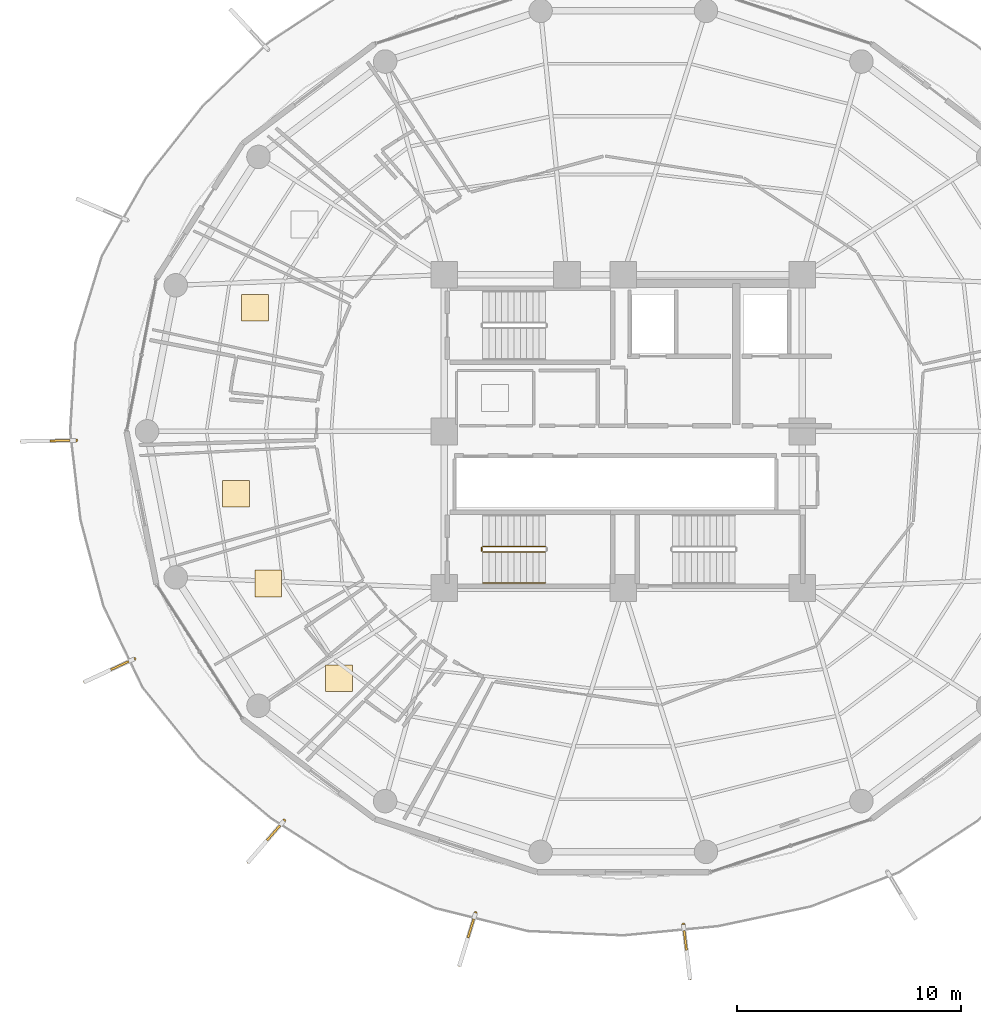
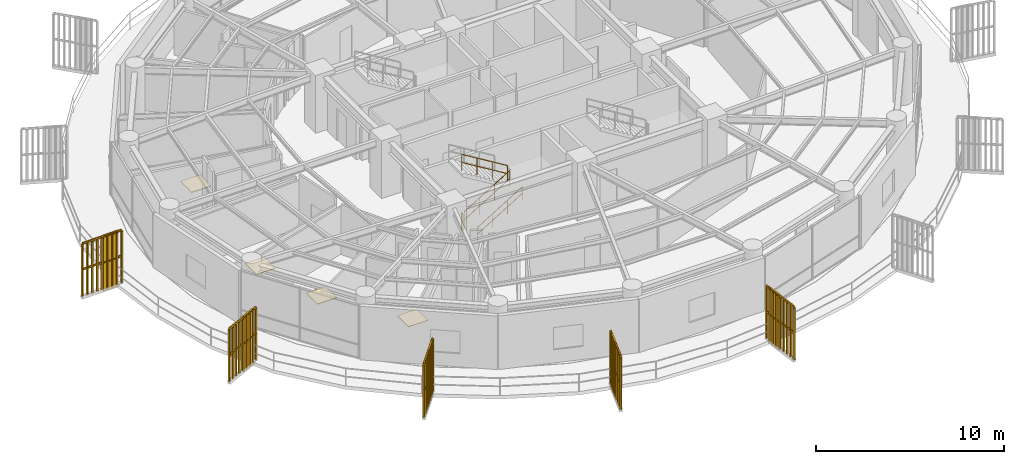
# One storey, part 28 of 31: 9 railings, 5 shading devices, 4 coverings.
"""IFC4 building model written with IfcOpenShell, lengths in metres."""

from ifc_helpers import new_model, si_unit, direction, frame, origin, origin_2d, place, context, subcontext, project, spatial, polyline, rectangle, outline, extrude, source, transform, mapped, material, layer, layer_set, type_object, element, save


model = new_model("IFC4")

# Units and contexts
model_context = context("Model", 3, precision=1e-05, world=origin(), true_north=direction((0.0, 1.0)))
body_context = subcontext(model_context, "Body", "Model", "MODEL_VIEW")
ifc_project = project(units=[si_unit("LENGTHUNIT", "METRE"), si_unit("AREAUNIT", "SQUARE_METRE"), si_unit("VOLUMEUNIT", "CUBIC_METRE"), si_unit("PLANEANGLEUNIT", "RADIAN"), si_unit("MASSUNIT", "GRAM", prefix="KILO")], contexts=[model_context])

# Site, building, storey
site_placement = place(None, origin())
site = spatial("IfcSite", under=ifc_project, at=site_placement, CompositionType="ELEMENT")
building_placement = place(site_placement, origin())
building = spatial("IfcBuilding", under=site, at=building_placement, Name="Kelanora Arch Commons", CompositionType="ELEMENT")
storey_placement = place(building_placement, frame((0.0, 0.0, 200.699951171875)))
storey = spatial("IfcBuildingStorey", under=building, at=storey_placement, Name="L51", CompositionType="ELEMENT", Elevation=200.699951171875)

# Railings
ifc_material_1 = material(Name="Anodised bronze vertical shading fin rib assembly")
railing_type_1 = type_object("IfcRailingType", Name="RAIL-FIN-BRZ", PredefinedType="BALUSTRADE", material=ifc_material_1)
railing_1_placement = place(storey_placement, frame((49.5517578125, 57.595458984375, -0.02001953125)))
element("IfcRailing", 1, at=railing_1_placement, inside=storey, type_object=railing_type_1, Name="Sweeping Bronze Vertical Fin Blade L51-09", PredefinedType="BALUSTRADE", context=body_context, shape_type="SweptSolid", body=[
    extrude(outline(polyline([(0.06982421875, 0.0), (0.034912109375, 0.060546875), (-0.034912109375, 0.060546875), (-0.06982421875, 0.0), (-0.034912109375, -0.060546875), (0.034912109375, -0.060546875), (0.06982421875, 0.0)])), frame((0.0, 0.0, 3.419921875), z_axis=(-0.999864110803, -0.016485142673, 0.0), x_axis=(0.016485142673, -0.999864110803, 0.0)), (0.0, 0.0, 1.0), 2.4287109375),
    extrude(outline(polyline([(0.06982421875, 0.0), (0.034912109375, 0.060546875), (-0.034912109375, 0.060546875), (-0.06982421875, 0.0), (-0.034912109375, -0.060546875), (0.034912109375, -0.060546875), (0.06982421875, 0.0)])), frame((0.0, 0.0, 1.7451171875), z_axis=(-0.999864110803, -0.016485142673, 0.0), x_axis=(0.016485142673, -0.999864110803, 0.0)), (0.0, 0.0, 1.0), 2.4287109375),
    extrude(outline(polyline([(0.080078125, 0.0), (0.0400390625, 0.0693359375), (-0.0400390625, 0.0693359375), (-0.080078125, 0.0), (-0.0400390625, -0.0693359375), (0.0400390625, -0.0693359375), (0.080078125, 0.0)])), origin(), (0.0, 0.0, 1.0), 3.35009765625),
    extrude(outline(polyline([(0.080078125, 0.0), (0.0400390625, 0.0693359375), (-0.0400390625, 0.0693359375), (-0.080078125, 0.0), (-0.0400390625, -0.0693359375), (0.0400390625, -0.0693359375), (0.080078125, 0.0)])), frame((-0.303466796875, -0.0048828125, 0.0)), (0.0, 0.0, 1.0), 3.35009765625),
    extrude(outline(polyline([(0.080078125, 0.0), (0.0400390625, 0.0693359375), (-0.0400390625, 0.0693359375), (-0.080078125, 0.0), (-0.0400390625, -0.0693359375), (0.0400390625, -0.0693359375), (0.080078125, 0.0)])), frame((-0.607177734375, -0.010009765625, 0.0)), (0.0, 0.0, 1.0), 3.35009765625),
    extrude(outline(polyline([(0.080078125, 0.0), (0.0400390625, 0.0693359375), (-0.0400390625, 0.0693359375), (-0.080078125, 0.0), (-0.0400390625, -0.0693359375), (0.0400390625, -0.0693359375), (0.080078125, 0.0)])), frame((-0.91064453125, -0.01513671875, 0.0)), (0.0, 0.0, 1.0), 3.35009765625),
    extrude(outline(polyline([(0.080078125, 0.0), (0.0400390625, 0.0693359375), (-0.0400390625, 0.0693359375), (-0.080078125, 0.0), (-0.0400390625, -0.0693359375), (0.0400390625, -0.0693359375), (0.080078125, 0.0)])), frame((-1.21435546875, -0.02001953125, 0.0)), (0.0, 0.0, 1.0), 3.35009765625),
    extrude(outline(polyline([(0.080078125, 0.0), (0.0400390625, 0.0693359375), (-0.0400390625, 0.0693359375), (-0.080078125, 0.0), (-0.0400390625, -0.0693359375), (0.0400390625, -0.0693359375), (0.080078125, 0.0)])), frame((-1.517822265625, -0.02490234375, 0.0)), (0.0, 0.0, 1.0), 3.35009765625),
    extrude(outline(polyline([(0.080078125, 0.0), (0.0400390625, 0.0693359375), (-0.0400390625, 0.0693359375), (-0.080078125, 0.0), (-0.0400390625, -0.0693359375), (0.0400390625, -0.0693359375), (0.080078125, 0.0)])), frame((-1.8212890625, -0.030029296875, 0.0)), (0.0, 0.0, 1.0), 3.35009765625),
    extrude(outline(polyline([(0.080078125, 0.0), (0.0400390625, 0.0693359375), (-0.0400390625, 0.0693359375), (-0.080078125, 0.0), (-0.0400390625, -0.0693359375), (0.0400390625, -0.0693359375), (0.080078125, 0.0)])), frame((-2.125, -0.03515625, 0.0)), (0.0, 0.0, 1.0), 3.35009765625),
    extrude(outline(polyline([(0.080078125, 0.0), (0.0400390625, 0.0693359375), (-0.0400390625, 0.0693359375), (-0.080078125, 0.0), (-0.0400390625, -0.0693359375), (0.0400390625, -0.0693359375), (0.080078125, 0.0)])), frame((-2.428466796875, -0.0400390625, 0.0)), (0.0, 0.0, 1.0), 3.35009765625),
])
railing_2_placement = place(storey_placement, frame((52.15087890625, 47.835693359375, -0.02001953125)))
element("IfcRailing", 2, at=railing_2_placement, inside=storey, type_object=railing_type_1, Name="Sweeping Bronze Vertical Fin Blade L51-10", PredefinedType="BALUSTRADE", context=body_context, shape_type="SweptSolid", body=[
    extrude(outline(polyline([(0.06982421875, 0.0), (0.034912109375, 0.060546875), (-0.034912109375, 0.060546875), (-0.06982421875, 0.0), (-0.034912109375, -0.060546875), (0.034912109375, -0.060546875), (0.06982421875, 0.0)])), frame((0.0, 0.0, 3.419921875), z_axis=(-0.906696080699, -0.421784562596, 0.0), x_axis=(0.421784562596, -0.906696080699, 0.0)), (0.0, 0.0, 1.0), 2.4287109375),
    extrude(outline(polyline([(0.06982421875, 0.0), (0.034912109375, 0.060546875), (-0.034912109375, 0.060546875), (-0.06982421875, 0.0), (-0.034912109375, -0.060546875), (0.034912109375, -0.060546875), (0.06982421875, 0.0)])), frame((0.0, 0.0, 1.7451171875), z_axis=(-0.906696080699, -0.421784562596, 0.0), x_axis=(0.421784562596, -0.906696080699, 0.0)), (0.0, 0.0, 1.0), 2.4287109375),
    extrude(outline(polyline([(0.080078125, 0.0), (0.0400390625, 0.0693359375), (-0.0400390625, 0.0693359375), (-0.080078125, 0.0), (-0.0400390625, -0.0693359375), (0.0400390625, -0.0693359375), (0.080078125, 0.0)])), origin(), (0.0, 0.0, 1.0), 3.35009765625),
    extrude(outline(polyline([(0.080078125, 0.0), (0.0400390625, 0.0693359375), (-0.0400390625, 0.0693359375), (-0.080078125, 0.0), (-0.0400390625, -0.0693359375), (0.0400390625, -0.0693359375), (0.080078125, 0.0)])), frame((-0.275390625, -0.1279296875, 0.0)), (0.0, 0.0, 1.0), 3.35009765625),
    extrude(outline(polyline([(0.080078125, 0.0), (0.0400390625, 0.0693359375), (-0.0400390625, 0.0693359375), (-0.080078125, 0.0), (-0.0400390625, -0.0693359375), (0.0400390625, -0.0693359375), (0.080078125, 0.0)])), frame((-0.550537109375, -0.256103515625, 0.0)), (0.0, 0.0, 1.0), 3.35009765625),
    extrude(outline(polyline([(0.080078125, 0.0), (0.0400390625, 0.0693359375), (-0.0400390625, 0.0693359375), (-0.080078125, 0.0), (-0.0400390625, -0.0693359375), (0.0400390625, -0.0693359375), (0.080078125, 0.0)])), frame((-0.82568359375, -0.38427734375, 0.0)), (0.0, 0.0, 1.0), 3.35009765625),
    extrude(outline(polyline([(0.080078125, 0.0), (0.0400390625, 0.0693359375), (-0.0400390625, 0.0693359375), (-0.080078125, 0.0), (-0.0400390625, -0.0693359375), (0.0400390625, -0.0693359375), (0.080078125, 0.0)])), frame((-1.10107421875, -0.51220703125, 0.0)), (0.0, 0.0, 1.0), 3.35009765625),
    extrude(outline(polyline([(0.080078125, 0.0), (0.0400390625, 0.0693359375), (-0.0400390625, 0.0693359375), (-0.080078125, 0.0), (-0.0400390625, -0.0693359375), (0.0400390625, -0.0693359375), (0.080078125, 0.0)])), frame((-1.37646484375, -0.64013671875, 0.0)), (0.0, 0.0, 1.0), 3.35009765625),
    extrude(outline(polyline([(0.080078125, 0.0), (0.0400390625, 0.0693359375), (-0.0400390625, 0.0693359375), (-0.080078125, 0.0), (-0.0400390625, -0.0693359375), (0.0400390625, -0.0693359375), (0.080078125, 0.0)])), frame((-1.651611328125, -0.768310546875, 0.0)), (0.0, 0.0, 1.0), 3.35009765625),
    extrude(outline(polyline([(0.080078125, 0.0), (0.0400390625, 0.0693359375), (-0.0400390625, 0.0693359375), (-0.080078125, 0.0), (-0.0400390625, -0.0693359375), (0.0400390625, -0.0693359375), (0.080078125, 0.0)])), frame((-1.9267578125, -0.896484375, 0.0)), (0.0, 0.0, 1.0), 3.35009765625),
    extrude(outline(polyline([(0.080078125, 0.0), (0.0400390625, 0.0693359375), (-0.0400390625, 0.0693359375), (-0.080078125, 0.0), (-0.0400390625, -0.0693359375), (0.0400390625, -0.0693359375), (0.080078125, 0.0)])), frame((-2.2021484375, -1.0244140625, 0.0)), (0.0, 0.0, 1.0), 3.35009765625),
])
railing_3_placement = place(storey_placement, frame((58.845947265625, 40.599365234375, -0.02001953125)))
element("IfcRailing", 3, at=railing_3_placement, inside=storey, type_object=railing_type_1, Name="Sweeping Bronze Vertical Fin Blade L51-11", PredefinedType="BALUSTRADE", context=body_context, shape_type="SweptSolid", body=[
    extrude(outline(polyline([(0.06982421875, 0.0), (0.034912109375, 0.060546875), (-0.034912109375, 0.060546875), (-0.06982421875, 0.0), (-0.034912109375, -0.060546875), (0.034912109375, -0.060546875), (0.06982421875, 0.0)])), frame((0.0, 0.0, 3.419921875), z_axis=(-0.656673798241, -0.754174729558, 0.0), x_axis=(0.754174729558, -0.656673798241, 0.0)), (0.0, 0.0, 1.0), 2.428955078125),
    extrude(outline(polyline([(0.06982421875, 0.0), (0.034912109375, 0.060546875), (-0.034912109375, 0.060546875), (-0.06982421875, 0.0), (-0.034912109375, -0.060546875), (0.034912109375, -0.060546875), (0.06982421875, 0.0)])), frame((0.0, 0.0, 1.7451171875), z_axis=(-0.656673798241, -0.754174729558, 0.0), x_axis=(0.754174729558, -0.656673798241, 0.0)), (0.0, 0.0, 1.0), 2.428955078125),
    extrude(outline(polyline([(0.080078125, 0.0), (0.0400390625, 0.0693359375), (-0.0400390625, 0.0693359375), (-0.080078125, 0.0), (-0.0400390625, -0.0693359375), (0.0400390625, -0.0693359375), (0.080078125, 0.0)])), origin(), (0.0, 0.0, 1.0), 3.35009765625),
    extrude(outline(polyline([(0.080078125, 0.0), (0.0400390625, 0.0693359375), (-0.0400390625, 0.0693359375), (-0.080078125, 0.0), (-0.0400390625, -0.0693359375), (0.0400390625, -0.0693359375), (0.080078125, 0.0)])), frame((-0.199462890625, -0.22900390625, 0.0)), (0.0, 0.0, 1.0), 3.35009765625),
    extrude(outline(polyline([(0.080078125, 0.0), (0.0400390625, 0.0693359375), (-0.0400390625, 0.0693359375), (-0.080078125, 0.0), (-0.0400390625, -0.0693359375), (0.0400390625, -0.0693359375), (0.080078125, 0.0)])), frame((-0.398681640625, -0.4580078125, 0.0)), (0.0, 0.0, 1.0), 3.35009765625),
    extrude(outline(polyline([(0.080078125, 0.0), (0.0400390625, 0.0693359375), (-0.0400390625, 0.0693359375), (-0.080078125, 0.0), (-0.0400390625, -0.0693359375), (0.0400390625, -0.0693359375), (0.080078125, 0.0)])), frame((-0.59814453125, -0.68701171875, 0.0)), (0.0, 0.0, 1.0), 3.35009765625),
    extrude(outline(polyline([(0.080078125, 0.0), (0.0400390625, 0.0693359375), (-0.0400390625, 0.0693359375), (-0.080078125, 0.0), (-0.0400390625, -0.0693359375), (0.0400390625, -0.0693359375), (0.080078125, 0.0)])), frame((-0.79736328125, -0.916015625, 0.0)), (0.0, 0.0, 1.0), 3.35009765625),
    extrude(outline(polyline([(0.080078125, 0.0), (0.0400390625, 0.0693359375), (-0.0400390625, 0.0693359375), (-0.080078125, 0.0), (-0.0400390625, -0.0693359375), (0.0400390625, -0.0693359375), (0.080078125, 0.0)])), frame((-0.996826171875, -1.144775390625, 0.0)), (0.0, 0.0, 1.0), 3.35009765625),
    extrude(outline(polyline([(0.080078125, 0.0), (0.0400390625, 0.0693359375), (-0.0400390625, 0.0693359375), (-0.080078125, 0.0), (-0.0400390625, -0.0693359375), (0.0400390625, -0.0693359375), (0.080078125, 0.0)])), frame((-1.1962890625, -1.373779296875, 0.0)), (0.0, 0.0, 1.0), 3.35009765625),
    extrude(outline(polyline([(0.080078125, 0.0), (0.0400390625, 0.0693359375), (-0.0400390625, 0.0693359375), (-0.080078125, 0.0), (-0.0400390625, -0.0693359375), (0.0400390625, -0.0693359375), (0.080078125, 0.0)])), frame((-1.3955078125, -1.602783203125, 0.0)), (0.0, 0.0, 1.0), 3.35009765625),
    extrude(outline(polyline([(0.080078125, 0.0), (0.0400390625, 0.0693359375), (-0.0400390625, 0.0693359375), (-0.080078125, 0.0), (-0.0400390625, -0.0693359375), (0.0400390625, -0.0693359375), (0.080078125, 0.0)])), frame((-1.594970703125, -1.831787109375, 0.0)), (0.0, 0.0, 1.0), 3.35009765625),
])
railing_4_placement = place(storey_placement, frame((67.3994140625, 36.47998046875, -0.02001953125)))
element("IfcRailing", 4, at=railing_4_placement, inside=storey, type_object=railing_type_1, Name="Sweeping Bronze Vertical Fin Blade L51-12", PredefinedType="BALUSTRADE", context=body_context, shape_type="SweptSolid", body=[
    extrude(outline(polyline([(0.06982421875, 0.0), (0.034912109375, 0.060546875), (-0.034912109375, 0.060546875), (-0.06982421875, 0.0), (-0.034912109375, -0.060546875), (0.034912109375, -0.060546875), (0.06982421875, 0.0)])), frame((0.0, 0.0, 3.419921875), z_axis=(-0.293308781957, -0.956017760519, 0.0), x_axis=(0.956017760519, -0.293308781957, 0.0)), (0.0, 0.0, 1.0), 2.428955078125),
    extrude(outline(polyline([(0.06982421875, 0.0), (0.034912109375, 0.060546875), (-0.034912109375, 0.060546875), (-0.06982421875, 0.0), (-0.034912109375, -0.060546875), (0.034912109375, -0.060546875), (0.06982421875, 0.0)])), frame((0.0, 0.0, 1.7451171875), z_axis=(-0.293308781957, -0.956017760519, 0.0), x_axis=(0.956017760519, -0.293308781957, 0.0)), (0.0, 0.0, 1.0), 2.428955078125),
    extrude(outline(polyline([(0.080078125, 0.0), (0.0400390625, 0.0693359375), (-0.0400390625, 0.0693359375), (-0.080078125, 0.0), (-0.0400390625, -0.0693359375), (0.0400390625, -0.0693359375), (0.080078125, 0.0)])), origin(), (0.0, 0.0, 1.0), 3.35009765625),
    extrude(outline(polyline([(0.080078125, 0.0), (0.0400390625, 0.0693359375), (-0.0400390625, 0.0693359375), (-0.080078125, 0.0), (-0.0400390625, -0.0693359375), (0.0400390625, -0.0693359375), (0.080078125, 0.0)])), frame((-0.089111328125, -0.290283203125, 0.0)), (0.0, 0.0, 1.0), 3.35009765625),
    extrude(outline(polyline([(0.080078125, 0.0), (0.0400390625, 0.0693359375), (-0.0400390625, 0.0693359375), (-0.080078125, 0.0), (-0.0400390625, -0.0693359375), (0.0400390625, -0.0693359375), (0.080078125, 0.0)])), frame((-0.17822265625, -0.58056640625, 0.0)), (0.0, 0.0, 1.0), 3.35009765625),
    extrude(outline(polyline([(0.080078125, 0.0), (0.0400390625, 0.0693359375), (-0.0400390625, 0.0693359375), (-0.080078125, 0.0), (-0.0400390625, -0.0693359375), (0.0400390625, -0.0693359375), (0.080078125, 0.0)])), frame((-0.26708984375, -0.870849609375, 0.0)), (0.0, 0.0, 1.0), 3.35009765625),
    extrude(outline(polyline([(0.080078125, 0.0), (0.0400390625, 0.0693359375), (-0.0400390625, 0.0693359375), (-0.080078125, 0.0), (-0.0400390625, -0.0693359375), (0.0400390625, -0.0693359375), (0.080078125, 0.0)])), frame((-0.356201171875, -1.1611328125, 0.0)), (0.0, 0.0, 1.0), 3.35009765625),
    extrude(outline(polyline([(0.080078125, 0.0), (0.0400390625, 0.0693359375), (-0.0400390625, 0.0693359375), (-0.080078125, 0.0), (-0.0400390625, -0.0693359375), (0.0400390625, -0.0693359375), (0.080078125, 0.0)])), frame((-0.4453125, -1.451171875, 0.0)), (0.0, 0.0, 1.0), 3.35009765625),
    extrude(outline(polyline([(0.080078125, 0.0), (0.0400390625, 0.0693359375), (-0.0400390625, 0.0693359375), (-0.080078125, 0.0), (-0.0400390625, -0.0693359375), (0.0400390625, -0.0693359375), (0.080078125, 0.0)])), frame((-0.5341796875, -1.741455078125, 0.0)), (0.0, 0.0, 1.0), 3.35009765625),
    extrude(outline(polyline([(0.080078125, 0.0), (0.0400390625, 0.0693359375), (-0.0400390625, 0.0693359375), (-0.080078125, 0.0), (-0.0400390625, -0.0693359375), (0.0400390625, -0.0693359375), (0.080078125, 0.0)])), frame((-0.623291015625, -2.03173828125, 0.0)), (0.0, 0.0, 1.0), 3.35009765625),
    extrude(outline(polyline([(0.080078125, 0.0), (0.0400390625, 0.0693359375), (-0.0400390625, 0.0693359375), (-0.080078125, 0.0), (-0.0400390625, -0.0693359375), (0.0400390625, -0.0693359375), (0.080078125, 0.0)])), frame((-0.71240234375, -2.322021484375, 0.0)), (0.0, 0.0, 1.0), 3.35009765625),
])
railing_5_placement = place(storey_placement, frame((76.685302734375, 35.9658203125, -0.02001953125)))
element("IfcRailing", 5, at=railing_5_placement, inside=storey, type_object=railing_type_1, Name="Sweeping Bronze Vertical Fin Blade L51-13", PredefinedType="BALUSTRADE", context=body_context, shape_type="SweptSolid", body=[
    extrude(outline(polyline([(0.06982421875, 0.0), (0.034912109375, 0.060546875), (-0.034912109375, 0.060546875), (-0.06982421875, 0.0), (-0.034912109375, -0.060546875), (0.034912109375, -0.060546875), (0.06982421875, 0.0)])), frame((0.0, 0.0, 3.419921875), z_axis=(0.120916684815, -0.992662659383, 0.0), x_axis=(0.992662659383, 0.120916684815, 0.0)), (0.0, 0.0, 1.0), 2.428955078125),
    extrude(outline(polyline([(0.06982421875, 0.0), (0.034912109375, 0.060546875), (-0.034912109375, 0.060546875), (-0.06982421875, 0.0), (-0.034912109375, -0.060546875), (0.034912109375, -0.060546875), (0.06982421875, 0.0)])), frame((0.0, 0.0, 1.7451171875), z_axis=(0.120916684815, -0.992662659383, 0.0), x_axis=(0.992662659383, 0.120916684815, 0.0)), (0.0, 0.0, 1.0), 2.428955078125),
    extrude(outline(polyline([(0.080078125, 0.0), (0.0400390625, 0.0693359375), (-0.0400390625, 0.0693359375), (-0.080078125, 0.0), (-0.0400390625, -0.0693359375), (0.0400390625, -0.0693359375), (0.080078125, 0.0)])), origin(), (0.0, 0.0, 1.0), 3.35009765625),
    extrude(outline(polyline([(0.080078125, 0.0), (0.0400390625, 0.0693359375), (-0.0400390625, 0.0693359375), (-0.080078125, 0.0), (-0.0400390625, -0.0693359375), (0.0400390625, -0.0693359375), (0.080078125, 0.0)])), frame((0.03662109375, -0.30126953125, 0.0)), (0.0, 0.0, 1.0), 3.35009765625),
    extrude(outline(polyline([(0.080078125, 0.0), (0.0400390625, 0.0693359375), (-0.0400390625, 0.0693359375), (-0.080078125, 0.0), (-0.0400390625, -0.0693359375), (0.0400390625, -0.0693359375), (0.080078125, 0.0)])), frame((0.073486328125, -0.602783203125, 0.0)), (0.0, 0.0, 1.0), 3.35009765625),
    extrude(outline(polyline([(0.080078125, 0.0), (0.0400390625, 0.0693359375), (-0.0400390625, 0.0693359375), (-0.080078125, 0.0), (-0.0400390625, -0.0693359375), (0.0400390625, -0.0693359375), (0.080078125, 0.0)])), frame((0.110107421875, -0.904296875, 0.0)), (0.0, 0.0, 1.0), 3.35009765625),
    extrude(outline(polyline([(0.080078125, 0.0), (0.0400390625, 0.0693359375), (-0.0400390625, 0.0693359375), (-0.080078125, 0.0), (-0.0400390625, -0.0693359375), (0.0400390625, -0.0693359375), (0.080078125, 0.0)])), frame((0.14697265625, -1.20556640625, 0.0)), (0.0, 0.0, 1.0), 3.35009765625),
    extrude(outline(polyline([(0.080078125, 0.0), (0.0400390625, 0.0693359375), (-0.0400390625, 0.0693359375), (-0.080078125, 0.0), (-0.0400390625, -0.0693359375), (0.0400390625, -0.0693359375), (0.080078125, 0.0)])), frame((0.18359375, -1.5068359375, 0.0)), (0.0, 0.0, 1.0), 3.35009765625),
    extrude(outline(polyline([(0.080078125, 0.0), (0.0400390625, 0.0693359375), (-0.0400390625, 0.0693359375), (-0.080078125, 0.0), (-0.0400390625, -0.0693359375), (0.0400390625, -0.0693359375), (0.080078125, 0.0)])), frame((0.22021484375, -1.808349609375, 0.0)), (0.0, 0.0, 1.0), 3.35009765625),
    extrude(outline(polyline([(0.080078125, 0.0), (0.0400390625, 0.0693359375), (-0.0400390625, 0.0693359375), (-0.080078125, 0.0), (-0.0400390625, -0.0693359375), (0.0400390625, -0.0693359375), (0.080078125, 0.0)])), frame((0.257080078125, -2.10986328125, 0.0)), (0.0, 0.0, 1.0), 3.35009765625),
    extrude(outline(polyline([(0.080078125, 0.0), (0.0400390625, 0.0693359375), (-0.0400390625, 0.0693359375), (-0.080078125, 0.0), (-0.0400390625, -0.0693359375), (0.0400390625, -0.0693359375), (0.080078125, 0.0)])), frame((0.293701171875, -2.4111328125, 0.0)), (0.0, 0.0, 1.0), 3.35009765625),
])
ifc_material_2 = material(Name="Painted steel stair well guard", Category="steel")
railing_type_2 = type_object("IfcRailingType", Name="RAIL-STAIR-GRD", PredefinedType="GUARDRAIL", material=ifc_material_2)
railing_6_placement = place(storey_placement, frame((67.719970703125, 52.610107421875, 0.17041015625)))
element("IfcRailing", 6, at=railing_6_placement, inside=storey, type_object=railing_type_2, Name="L51 ST-T3 stair guard 1", PredefinedType="GUARDRAIL", context=body_context, shape_type="SweptSolid", body=[
    extrude(outline(polyline([(0.02392578125, 0.0), (0.011962890625, 0.020751953125), (-0.011962890625, 0.020751953125), (-0.02392578125, 0.0), (-0.011962890625, -0.020751953125), (0.011962890625, -0.020751953125), (0.02392578125, 0.0)])), frame((0.0, 0.0, 1.076171875), z_axis=(0.854169791009, 0.0, 0.51999420009), x_axis=(0.0, 1.0, 0.0)), (0.0, 0.0, 1.0), 3.278076171875),
    extrude(outline(polyline([(0.02392578125, 0.0), (0.011962890625, 0.020751953125), (-0.011962890625, 0.020751953125), (-0.02392578125, 0.0), (-0.011962890625, -0.020751953125), (0.011962890625, -0.020751953125), (0.02392578125, 0.0)])), frame((0.0, 0.0, 0.550048828125), z_axis=(0.854169791009, 0.0, 0.51999420009), x_axis=(0.0, 1.0, 0.0)), (0.0, 0.0, 1.0), 3.278076171875),
    extrude(outline(polyline([(0.02099609375, 0.0), (0.010498046875, 0.01806640625), (-0.010498046875, 0.01806640625), (-0.02099609375, 0.0), (-0.010498046875, -0.01806640625), (0.010498046875, -0.01806640625), (0.02099609375, 0.0)])), origin(), (0.0, 0.0, 1.0), 1.052001953125),
    extrude(outline(polyline([(0.02099609375, 0.0), (0.010498046875, 0.01806640625), (-0.010498046875, 0.01806640625), (-0.02099609375, 0.0), (-0.010498046875, -0.01806640625), (0.010498046875, -0.01806640625), (0.02099609375, 0.0)])), frame((0.933349609375, 0.0, 0.568115234375)), (0.0, 0.0, 1.0), 1.052001953125),
    extrude(outline(polyline([(0.02099609375, 0.0), (0.010498046875, 0.01806640625), (-0.010498046875, 0.01806640625), (-0.02099609375, 0.0), (-0.010498046875, -0.01806640625), (0.010498046875, -0.01806640625), (0.02099609375, 0.0)])), frame((1.86669921875, 0.0, 1.136474609375)), (0.0, 0.0, 1.0), 1.052001953125),
    extrude(outline(polyline([(0.02099609375, 0.0), (0.010498046875, 0.01806640625), (-0.010498046875, 0.01806640625), (-0.02099609375, 0.0), (-0.010498046875, -0.01806640625), (0.010498046875, -0.01806640625), (0.02099609375, 0.0)])), frame((2.800048828125, 0.0, 1.70458984375)), (0.0, 0.0, 1.0), 1.052001953125),
])
railing_7_placement = place(storey_placement, frame((70.52001953125, 52.860107421875, 2.04541015625)))
element("IfcRailing", 7, at=railing_7_placement, inside=storey, type_object=railing_type_2, Name="L51 ST-T3 stair guard 3", PredefinedType="GUARDRAIL", context=body_context, shape_type="SweptSolid", body=[
    extrude(outline(polyline([(0.02392578125, 0.0), (0.011962890625, 0.020751953125), (-0.011962890625, 0.020751953125), (-0.02392578125, 0.0), (-0.011962890625, -0.020751953125), (0.011962890625, -0.020751953125), (0.02392578125, 0.0)])), frame((0.0, 0.0, 1.076171875), z_axis=(-0.854169791009, 0.0, 0.51999420009), x_axis=(0.0, -1.0, 0.0)), (0.0, 0.0, 1.0), 3.278076171875),
    extrude(outline(polyline([(0.02392578125, 0.0), (0.011962890625, 0.020751953125), (-0.011962890625, 0.020751953125), (-0.02392578125, 0.0), (-0.011962890625, -0.020751953125), (0.011962890625, -0.020751953125), (0.02392578125, 0.0)])), frame((0.0, 0.0, 0.550048828125), z_axis=(-0.854169791009, 0.0, 0.51999420009), x_axis=(0.0, -1.0, 0.0)), (0.0, 0.0, 1.0), 3.278076171875),
    extrude(outline(polyline([(0.02099609375, 0.0), (0.010498046875, 0.01806640625), (-0.010498046875, 0.01806640625), (-0.02099609375, 0.0), (-0.010498046875, -0.01806640625), (0.010498046875, -0.01806640625), (0.02099609375, 0.0)])), origin(), (0.0, 0.0, 1.0), 1.052001953125),
    extrude(outline(polyline([(0.02099609375, 0.0), (0.010498046875, 0.01806640625), (-0.010498046875, 0.01806640625), (-0.02099609375, 0.0), (-0.010498046875, -0.01806640625), (0.010498046875, -0.01806640625), (0.02099609375, 0.0)])), frame((-0.933349609375, 0.0, 0.568115234375)), (0.0, 0.0, 1.0), 1.052001953125),
    extrude(outline(polyline([(0.02099609375, 0.0), (0.010498046875, 0.01806640625), (-0.010498046875, 0.01806640625), (-0.02099609375, 0.0), (-0.010498046875, -0.01806640625), (0.010498046875, -0.01806640625), (0.02099609375, 0.0)])), frame((-1.86669921875, 0.0, 1.136474609375)), (0.0, 0.0, 1.0), 1.052001953125),
    extrude(outline(polyline([(0.02099609375, 0.0), (0.010498046875, 0.01806640625), (-0.010498046875, 0.01806640625), (-0.02099609375, 0.0), (-0.010498046875, -0.01806640625), (0.010498046875, -0.01806640625), (0.02099609375, 0.0)])), frame((-2.800048828125, 0.0, 1.70458984375)), (0.0, 0.0, 1.0), 1.052001953125),
])
railing_8_placement = place(storey_placement, frame((67.669921875, 52.659912109375, 0.0)))
element("IfcRailing", 8, at=railing_8_placement, inside=storey, type_object=railing_type_2, Name="L51 ST-T3 stair guard 4", PredefinedType="GUARDRAIL", context=body_context, shape_type="SweptSolid", body=[
    extrude(outline(polyline([(0.02392578125, 0.0), (0.011962890625, 0.020751953125), (-0.011962890625, 0.020751953125), (-0.02392578125, 0.0), (-0.011962890625, -0.020751953125), (0.011962890625, -0.020751953125), (0.02392578125, 0.0)])), frame((0.0, 0.0, 1.076171875), z_axis=(0.0, 1.0, 0.0), x_axis=(-1.0, 0.0, 0.0)), (0.0, 0.0, 1.0), 0.150146484375),
    extrude(outline(polyline([(0.02392578125, 0.0), (0.011962890625, 0.020751953125), (-0.011962890625, 0.020751953125), (-0.02392578125, 0.0), (-0.011962890625, -0.020751953125), (0.011962890625, -0.020751953125), (0.02392578125, 0.0)])), frame((0.0, 0.0, 0.550048828125), z_axis=(0.0, 1.0, 0.0), x_axis=(-1.0, 0.0, 0.0)), (0.0, 0.0, 1.0), 0.150146484375),
    extrude(outline(polyline([(0.02099609375, 0.0), (0.010498046875, 0.01806640625), (-0.010498046875, 0.01806640625), (-0.02099609375, 0.0), (-0.010498046875, -0.01806640625), (0.010498046875, -0.01806640625), (0.02099609375, 0.0)])), origin(), (0.0, 0.0, 1.0), 1.052001953125),
    extrude(outline(polyline([(0.02099609375, 0.0), (0.010498046875, 0.01806640625), (-0.010498046875, 0.01806640625), (-0.02099609375, 0.0), (-0.010498046875, -0.01806640625), (0.010498046875, -0.01806640625), (0.02099609375, 0.0)])), frame((0.0, 0.150146484375, 0.0)), (0.0, 0.0, 1.0), 1.052001953125),
])
ifc_material_3 = material(Name="Brushed stainless steel stair handrail", Category="steel")
railing_type_3 = type_object("IfcRailingType", Name="RAIL-STAIR-HND", PredefinedType="HANDRAIL", material=ifc_material_3)
railing_9_placement = place(storey_placement, frame((67.719970703125, 51.22998046875, 0.17041015625)))
element("IfcRailing", 9, at=railing_9_placement, inside=storey, type_object=railing_type_3, Name="L51 ST-T3 stair handrail 1", PredefinedType="HANDRAIL", context=body_context, shape_type="SweptSolid", body=[
    extrude(outline(polyline([(0.02392578125, 0.0), (0.011962890625, 0.020751953125), (-0.011962890625, 0.020751953125), (-0.02392578125, 0.0), (-0.011962890625, -0.020751953125), (0.011962890625, -0.020751953125), (0.02392578125, 0.0)])), frame((0.0, 0.0, 0.8759765625), z_axis=(0.854169791009, 0.0, 0.51999420009), x_axis=(0.0, 1.0, 0.0)), (0.0, 0.0, 1.0), 3.278076171875),
    extrude(outline(polyline([(0.02392578125, 0.0), (0.011962890625, 0.020751953125), (-0.011962890625, 0.020751953125), (-0.02392578125, 0.0), (-0.011962890625, -0.020751953125), (0.011962890625, -0.020751953125), (0.02392578125, 0.0)])), frame((0.0, 0.0, 0.449951171875), z_axis=(0.854169791009, 0.0, 0.51999420009), x_axis=(0.0, 1.0, 0.0)), (0.0, 0.0, 1.0), 3.278076171875),
    extrude(outline(polyline([(0.02099609375, 0.0), (0.010498046875, 0.01806640625), (-0.010498046875, 0.01806640625), (-0.02099609375, 0.0), (-0.010498046875, -0.01806640625), (0.010498046875, -0.01806640625), (0.02099609375, 0.0)])), origin(), (0.0, 0.0, 1.0), 0.851806640625),
    extrude(outline(polyline([(0.02099609375, 0.0), (0.010498046875, 0.01806640625), (-0.010498046875, 0.01806640625), (-0.02099609375, 0.0), (-0.010498046875, -0.01806640625), (0.010498046875, -0.01806640625), (0.02099609375, 0.0)])), frame((0.933349609375, 0.0, 0.568115234375)), (0.0, 0.0, 1.0), 0.851806640625),
    extrude(outline(polyline([(0.02099609375, 0.0), (0.010498046875, 0.01806640625), (-0.010498046875, 0.01806640625), (-0.02099609375, 0.0), (-0.010498046875, -0.01806640625), (0.010498046875, -0.01806640625), (0.02099609375, 0.0)])), frame((1.86669921875, 0.0, 1.136474609375)), (0.0, 0.0, 1.0), 0.851806640625),
    extrude(outline(polyline([(0.02099609375, 0.0), (0.010498046875, 0.01806640625), (-0.010498046875, 0.01806640625), (-0.02099609375, 0.0), (-0.010498046875, -0.01806640625), (0.010498046875, -0.01806640625), (0.02099609375, 0.0)])), frame((2.800048828125, 0.0, 1.70458984375)), (0.0, 0.0, 1.0), 0.851806640625),
])

# Shading devices
ifc_material_4 = material(Name="Terracotta ceramic-clad extruded aluminium fin", Category="masonry")
shading_device_type = type_object("IfcShadingDeviceType", Name="SHD-FIN-FLARE", PredefinedType="USERDEFINED", material=ifc_material_4)
shared_shape_1 = source(origin(), body_context, "Body", "SweptSolid", [
    extrude(rectangle(XDim=0.8798828125, YDim=0.090087890625, at=origin_2d()), origin(), (0.0, 0.0, 1.0), 3.610107421875),
])
for number, where, z_axis, x_axis, name in (
    (10, (48.831787109375, 57.58349609375, -0.14013671875), (0.0, 0.0, 1.0), (-0.999862544538, -0.016579868188, 0.0), "Sweeping Terracotta Fin L51-09"),
    (11, (51.498046875, 47.531982421875, -0.14013671875), (0.0, 0.0, 1.0), (-0.906676245901, -0.421827198174, 0.0), "Sweeping Terracotta Fin L51-10"),
    (12, (58.373291015625, 40.056396484375, -0.14013671875), (0.0, 0.0, 1.0), (-0.656717387452, -0.754136773416, 0.0), "Sweeping Terracotta Fin L51-11"),
    (13, (67.188232421875, 35.79150390625, -0.14013671875), (0.0, 0.0, 1.0), (-0.293206126622, -0.956049249417, 0.0), "Sweeping Terracotta Fin L51-12"),
    (14, (76.772216796875, 35.2509765625, -0.14013671875), (0.0, 0.0, 1.0), (0.121003137194, -0.992652124759, 0.0), "Sweeping Terracotta Fin L51-13"),
):
    element("IfcShadingDevice", number, at=place(storey_placement, frame(where, z_axis=z_axis, x_axis=x_axis)), inside=storey, type_object=shading_device_type, Name=name, ObjectType="FIN", PredefinedType="USERDEFINED", context=body_context, shape_type="MappedRepresentation", body=[
        mapped(shared_shape_1, transform((0.0, 0.0, 0.0), scale=1.0)),
    ])

# Coverings
ifc_material_5 = material(Name="Polished local granite terrazzo flooring", Category="masonry")
ifc_layer = layer(ifc_material_5, 0.030029296875)
ifc_layer_set = layer_set([ifc_layer], Name="Polished local granite terrazzo flooring")
covering_type = type_object("IfcCoveringType", Name="COV-FLR-TER", PredefinedType="FLOORING", material=ifc_layer_set)
shared_shape_2 = source(origin(), body_context, "Body", "SweptSolid", [
    extrude(rectangle(XDim=1.199951171875, YDim=1.199951171875, at=origin_2d()), origin(), (0.0, 0.0, 1.0), 0.030029296875),
])
for number, where, z_axis, x_axis, name in (
    (15, (57.537353515625, 63.52587890625, 0.0), (0.0, 0.0, 1.0), (1.0, 0.0, 0.0), "Quiet Seminar Study Room L51-03 Terrazzo Finish"),
    (16, (56.701416015625, 55.214599609375, 0.0), (0.0, 0.0, 1.0), (1.0, 0.0, 0.0), "Shared Cluster Kitchen L51-05 Terrazzo Finish"),
    (17, (58.1357421875, 51.20654296875, 0.0), (0.0, 0.0, 1.0), (1.0, 0.0, 0.0), "Social Sky Lounge L51-06 Terrazzo Finish"),
    (18, (61.297119140625, 46.969970703125, 0.0), (0.0, 0.0, 1.0), (1.0, 0.0, 0.0), "Tutorial Study Alcove L51-07 Terrazzo Finish"),
):
    element("IfcCovering", number, at=place(storey_placement, frame(where, z_axis=z_axis, x_axis=x_axis)), inside=storey, type_object=covering_type, Name=name, PredefinedType="FLOORING", context=body_context, shape_type="MappedRepresentation", body=[
        mapped(shared_shape_2, transform((0.0, 0.0, 0.0), scale=1.0)),
    ])

save(model, "model.ifc")
